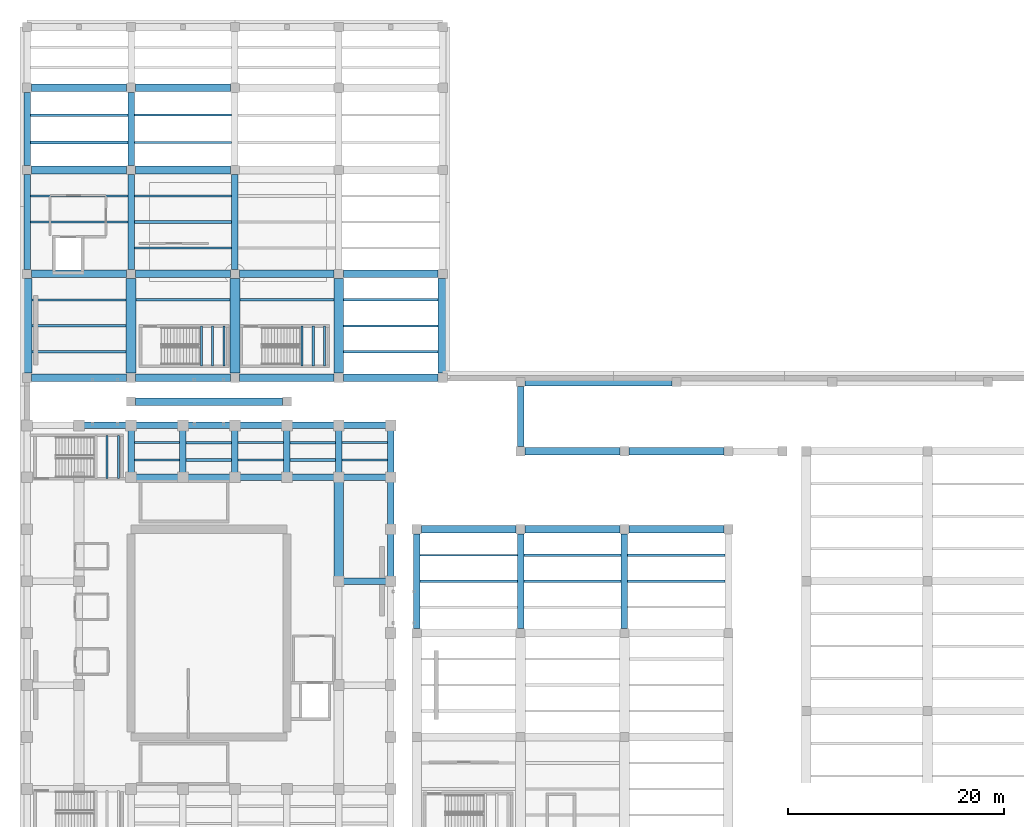
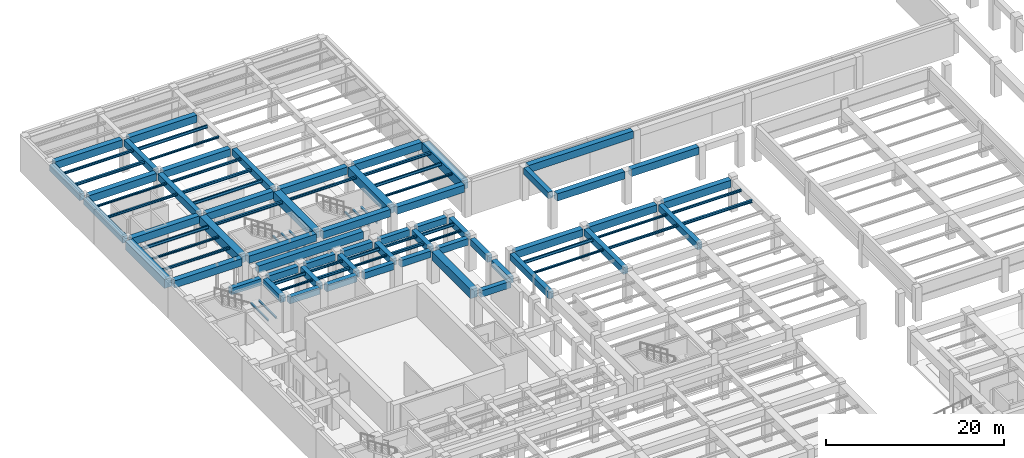
# One storey, part 18 of 45: 95 beams.
"""IFC4 building model written with IfcOpenShell, lengths in metres."""

from ifc_helpers import new_model, si_unit, direction, frame, origin, origin_2d, place, context, subcontext, project, spatial, rectangle, i_section, extrude, material, material_profile, profile_set, type_object, element, save


model = new_model("IFC4")

# Units and contexts
model_context = context("Model", 3, precision=1e-05, world=origin(), true_north=direction((0.0, 1.0)))
body_context = subcontext(model_context, "Body", "Model", "MODEL_VIEW")
ifc_project = project(units=[si_unit("LENGTHUNIT", "METRE"), si_unit("AREAUNIT", "SQUARE_METRE"), si_unit("VOLUMEUNIT", "CUBIC_METRE"), si_unit("PLANEANGLEUNIT", "RADIAN"), si_unit("MASSUNIT", "GRAM", prefix="KILO")], contexts=[model_context])

# Site, building, storey
site_placement = place(None, origin())
site = spatial("IfcSite", under=ifc_project, at=site_placement, CompositionType="ELEMENT")
building_placement = place(site_placement, origin())
building = spatial("IfcBuilding", under=site, at=building_placement, Name="Mavantir Sound Aquarium", CompositionType="ELEMENT")
storey_placement = place(building_placement, frame((0.0, 0.0, -4.800048828125)))
storey = spatial("IfcBuildingStorey", under=building, at=storey_placement, Name="B1", CompositionType="ELEMENT", Elevation=-4.800048828125)

# Beams
ifc_material_1 = material(Name="Concrete C40/50", Category="concrete")
ifc_material_profile_1 = material_profile(ifc_material_1, rectangle(XDim=0.60009765625, YDim=0.89990234375, at=origin_2d()), Name="RC 600X900")
ifc_profile_set_1 = profile_set([ifc_material_profile_1], Name="Concrete C40/50")
beam_type_1 = type_object("IfcBeamType", Name="BM-RC600X900-E", PredefinedType="BEAM", material=ifc_profile_set_1)
for number, where, z_axis, x_axis, name in (
    (1, (5.25, 79.199951171875, 3.946044921875), (1.0, 0.0, 0.0), (0.0, 1.0, 0.0), "B1 primary beam RCB-09 473"),
    (2, (10.050048828125, 79.199951171875, 3.946044921875), (1.0, 0.0, 0.0), (0.0, 1.0, 0.0), "B1 primary beam RCB-09 474"),
    (3, (14.85009765625, 79.199951171875, 3.946044921875), (1.0, 0.0, 0.0), (0.0, 1.0, 0.0), "B1 primary beam RCB-09 475"),
):
    element("IfcBeam", number, at=place(storey_placement, frame(where, z_axis=z_axis, x_axis=x_axis)), inside=storey, type_object=beam_type_1, Name=name, PredefinedType="BEAM", context=body_context, shape_type="SweptSolid", body=[
        extrude(rectangle(XDim=0.60009765625, YDim=0.89990234375, at=origin_2d()), origin(), (0.0, 0.0, 1.0), 3.89990234375),
    ])
for number, where, z_axis, x_axis, name in (
    (4, (19.64990234375, 79.199951171875, 3.946044921875), (1.0, 0.0, 0.0), (0.0, 1.0, 0.0), "B1 primary beam RCB-09 476"),
    (5, (24.449951171875, 79.199951171875, 3.946044921875), (1.0, 0.0, 0.0), (0.0, 1.0, 0.0), "B1 primary beam RCB-09 477"),
):
    element("IfcBeam", number, at=place(storey_placement, frame(where, z_axis=z_axis, x_axis=x_axis)), inside=storey, type_object=beam_type_1, Name=name, PredefinedType="BEAM", context=body_context, shape_type="SweptSolid", body=[
        extrude(rectangle(XDim=0.60009765625, YDim=0.89990234375, at=origin_2d()), origin(), (0.0, 0.0, 1.0), 3.900146484375),
    ])
for number, where, z_axis, x_axis, name in (
    (6, (29.25, 79.199951171875, 3.946044921875), (1.0, 0.0, 0.0), (0.0, 1.0, 0.0), "B1 primary beam RCB-09 478"),
    (7, (33.60009765625, 65.25, 3.946044921875), (0.0, 1.0, 0.0), (-1.0, 0.0, 0.0), "B1 primary girder RCB-09 508"),
    (8, (33.60009765625, 70.050048828125, 3.946044921875), (0.0, 1.0, 0.0), (-1.0, 0.0, 0.0), "B1 primary girder RCB-09 509"),
    (9, (33.60009765625, 74.85009765625, 3.946044921875), (0.0, 1.0, 0.0), (-1.0, 0.0, 0.0), "B1 primary girder RCB-09 510"),
):
    element("IfcBeam", number, at=place(storey_placement, frame(where, z_axis=z_axis, x_axis=x_axis)), inside=storey, type_object=beam_type_1, Name=name, PredefinedType="BEAM", context=body_context, shape_type="SweptSolid", body=[
        extrude(rectangle(XDim=0.60009765625, YDim=0.89990234375, at=origin_2d()), origin(), (0.0, 0.0, 1.0), 3.89990234375),
    ])
for number, where, z_axis, x_axis, name in (
    (10, (36.0, 60.425048828125, 3.946044921875), (0.0, 1.0, 0.0), (-1.0, 0.0, 0.0), "B1 primary girder RCB-09 525"),
    (11, (0.0, 93.625, 4.046142578125), (0.0, 1.0, 0.0), (-1.0, 0.0, 0.0), "B1 primary girder RCB-09 718"),
):
    element("IfcBeam", number, at=place(storey_placement, frame(where, z_axis=z_axis, x_axis=x_axis)), inside=storey, type_object=beam_type_1, Name=name, PredefinedType="BEAM", context=body_context, shape_type="SweptSolid", body=[
        extrude(rectangle(XDim=0.60009765625, YDim=0.89990234375, at=origin_2d()), origin(), (0.0, 0.0, 1.0), 8.75),
    ])
beam_1_placement = place(storey_placement, frame((0.0, 103.22509765625, 4.046142578125), z_axis=(0.0, 1.0, 0.0), x_axis=(-1.0, 0.0, 0.0)))
element("IfcBeam", 12, at=beam_1_placement, inside=storey, type_object=beam_type_1, Name="B1 primary girder RCB-09 719", PredefinedType="BEAM", context=body_context, shape_type="SweptSolid", body=[
    extrude(rectangle(XDim=0.60009765625, YDim=0.89990234375, at=origin_2d()), origin(), (0.0, 0.0, 1.0), 6.75),
])
ifc_material_profile_2 = material_profile(ifc_material_1, rectangle(XDim=0.60009765625, YDim=0.89990234375, at=origin_2d()), Name="RC 600X900")
ifc_profile_set_2 = profile_set([ifc_material_profile_2], Name="Concrete C40/50")
beam_type_2 = type_object("IfcBeamType", Name="BM-RC600X900-I", PredefinedType="BEAM", material=ifc_profile_set_2)
beam_2_placement = place(storey_placement, frame((45.60009765625, 77.22509765625, 4.095947265625), z_axis=(0.0, 1.0, 0.0), x_axis=(-1.0, 0.0, 0.0)))
element("IfcBeam", 13, at=beam_2_placement, inside=storey, type_object=beam_type_2, Name="B1 primary girder RCB-09 437", PredefinedType="BEAM", context=body_context, shape_type="SweptSolid", body=[
    extrude(rectangle(XDim=0.60009765625, YDim=0.89990234375, at=origin_2d()), origin(), (0.0, 0.0, 1.0), 5.5498046875),
])
for number, where, z_axis, x_axis, name in (
    (14, (29.25, 64.800048828125, 3.946044921875), (1.0, 0.0, 0.0), (0.0, 1.0, 0.0), "B1 primary beam RCB-09 466"),
    (15, (10.050048828125, 74.39990234375, 3.946044921875), (1.0, 0.0, 0.0), (0.0, 1.0, 0.0), "B1 primary beam RCB-09 467"),
    (16, (14.85009765625, 74.39990234375, 3.946044921875), (1.0, 0.0, 0.0), (0.0, 1.0, 0.0), "B1 primary beam RCB-09 468"),
):
    element("IfcBeam", number, at=place(storey_placement, frame(where, z_axis=z_axis, x_axis=x_axis)), inside=storey, type_object=beam_type_2, Name=name, PredefinedType="BEAM", context=body_context, shape_type="SweptSolid", body=[
        extrude(rectangle(XDim=0.60009765625, YDim=0.89990234375, at=origin_2d()), origin(), (0.0, 0.0, 1.0), 3.89990234375),
    ])
for number, where, z_axis, x_axis, name in (
    (17, (19.64990234375, 74.39990234375, 3.946044921875), (1.0, 0.0, 0.0), (0.0, 1.0, 0.0), "B1 primary beam RCB-09 469"),
    (18, (24.449951171875, 74.39990234375, 3.946044921875), (1.0, 0.0, 0.0), (0.0, 1.0, 0.0), "B1 primary beam RCB-09 470"),
):
    element("IfcBeam", number, at=place(storey_placement, frame(where, z_axis=z_axis, x_axis=x_axis)), inside=storey, type_object=beam_type_2, Name=name, PredefinedType="BEAM", context=body_context, shape_type="SweptSolid", body=[
        extrude(rectangle(XDim=0.60009765625, YDim=0.89990234375, at=origin_2d()), origin(), (0.0, 0.0, 1.0), 3.900146484375),
    ])
for number, where, z_axis, x_axis, name in (
    (19, (29.25, 74.39990234375, 3.946044921875), (1.0, 0.0, 0.0), (0.0, 1.0, 0.0), "B1 primary beam RCB-09 471"),
    (20, (9.60009765625, 74.85009765625, 3.946044921875), (0.0, 1.0, 0.0), (-1.0, 0.0, 0.0), "B1 primary girder RCB-09 491"),
    (21, (14.39990234375, 74.85009765625, 3.946044921875), (0.0, 1.0, 0.0), (-1.0, 0.0, 0.0), "B1 primary girder RCB-09 493"),
    (22, (19.199951171875, 74.85009765625, 3.946044921875), (0.0, 1.0, 0.0), (-1.0, 0.0, 0.0), "B1 primary girder RCB-09 495"),
    (23, (24.0, 74.85009765625, 3.946044921875), (0.0, 1.0, 0.0), (-1.0, 0.0, 0.0), "B1 primary girder RCB-09 497"),
    (24, (28.800048828125, 74.85009765625, 3.946044921875), (0.0, 1.0, 0.0), (-1.0, 0.0, 0.0), "B1 primary girder RCB-09 502"),
):
    element("IfcBeam", number, at=place(storey_placement, frame(where, z_axis=z_axis, x_axis=x_axis)), inside=storey, type_object=beam_type_2, Name=name, PredefinedType="BEAM", context=body_context, shape_type="SweptSolid", body=[
        extrude(rectangle(XDim=0.60009765625, YDim=0.89990234375, at=origin_2d()), origin(), (0.0, 0.0, 1.0), 3.89990234375),
    ])
for number, where, z_axis, x_axis, name in (
    (25, (45.60009765625, 60.425048828125, 3.946044921875), (0.0, 1.0, 0.0), (-1.0, 0.0, 0.0), "B1 primary girder RCB-09 528"),
    (26, (55.199951171875, 60.425048828125, 3.946044921875), (0.0, 1.0, 0.0), (-1.0, 0.0, 0.0), "B1 primary girder RCB-09 531"),
    (27, (9.60009765625, 93.625, 4.046142578125), (0.0, 1.0, 0.0), (-1.0, 0.0, 0.0), "B1 primary girder RCB-09 722"),
):
    element("IfcBeam", number, at=place(storey_placement, frame(where, z_axis=z_axis, x_axis=x_axis)), inside=storey, type_object=beam_type_2, Name=name, PredefinedType="BEAM", context=body_context, shape_type="SweptSolid", body=[
        extrude(rectangle(XDim=0.60009765625, YDim=0.89990234375, at=origin_2d()), origin(), (0.0, 0.0, 1.0), 8.75),
    ])
beam_3_placement = place(storey_placement, frame((9.60009765625, 103.22509765625, 4.046142578125), z_axis=(0.0, 1.0, 0.0), x_axis=(-1.0, 0.0, 0.0)))
element("IfcBeam", 28, at=beam_3_placement, inside=storey, type_object=beam_type_2, Name="B1 primary girder RCB-09 723", PredefinedType="BEAM", context=body_context, shape_type="SweptSolid", body=[
    extrude(rectangle(XDim=0.60009765625, YDim=0.89990234375, at=origin_2d()), origin(), (0.0, 0.0, 1.0), 6.75),
])
beam_4_placement = place(storey_placement, frame((19.199951171875, 93.625, 4.046142578125), z_axis=(0.0, 1.0, 0.0), x_axis=(-1.0, 0.0, 0.0)))
element("IfcBeam", 29, at=beam_4_placement, inside=storey, type_object=beam_type_2, Name="B1 primary girder RCB-09 726", PredefinedType="BEAM", context=body_context, shape_type="SweptSolid", body=[
    extrude(rectangle(XDim=0.60009765625, YDim=0.89990234375, at=origin_2d()), origin(), (0.0, 0.0, 1.0), 8.75),
])
ifc_material_profile_3 = material_profile(ifc_material_1, rectangle(XDim=0.699951171875, YDim=1.0, at=origin_2d()), Name="RC 700X1000")
ifc_profile_set_3 = profile_set([ifc_material_profile_3], Name="Concrete C40/50")
beam_type_3 = type_object("IfcBeamType", Name="BM-RC700X1000-E", PredefinedType="BEAM", material=ifc_profile_set_3)
for number, where, z_axis, x_axis, name in (
    (30, (36.425048828125, 69.60009765625, 3.89599609375), (1.0, 0.0, 0.0), (0.0, 1.0, 0.0), "B1 primary beam RCB-10 520"),
    (31, (46.02490234375, 69.60009765625, 3.89599609375), (1.0, 0.0, 0.0), (0.0, 1.0, 0.0), "B1 primary beam RCB-10 521"),
    (32, (55.625, 69.60009765625, 3.89599609375), (1.0, 0.0, 0.0), (0.0, 1.0, 0.0), "B1 primary beam RCB-10 522"),
    (33, (0.425048828125, 83.60009765625, 3.99609375), (1.0, 0.0, 0.0), (0.0, 1.0, 0.0), "B1 primary beam RCB-10 697"),
    (34, (10.02490234375, 83.60009765625, 3.99609375), (1.0, 0.0, 0.0), (0.0, 1.0, 0.0), "B1 primary beam RCB-10 698"),
    (35, (19.625, 83.60009765625, 3.99609375), (1.0, 0.0, 0.0), (0.0, 1.0, 0.0), "B1 primary beam RCB-10 699"),
    (36, (29.22509765625, 83.60009765625, 3.99609375), (1.0, 0.0, 0.0), (0.0, 1.0, 0.0), "B1 primary beam RCB-10 700"),
):
    element("IfcBeam", number, at=place(storey_placement, frame(where, z_axis=z_axis, x_axis=x_axis)), inside=storey, type_object=beam_type_3, Name=name, PredefinedType="BEAM", context=body_context, shape_type="SweptSolid", body=[
        extrude(rectangle(XDim=0.699951171875, YDim=1.0, at=origin_2d()), origin(), (0.0, 0.0, 1.0), 8.75),
    ])
ifc_material_profile_4 = material_profile(ifc_material_1, rectangle(XDim=0.699951171875, YDim=1.0, at=origin_2d()), Name="RC 700X1000")
ifc_profile_set_4 = profile_set([ifc_material_profile_4], Name="Concrete C40/50")
beam_type_4 = type_object("IfcBeamType", Name="BM-RC700X1000-I", PredefinedType="BEAM", material=ifc_profile_set_4)
for number, where, z_axis, x_axis, name in (
    (37, (46.02490234375, 76.800048828125, 4.046142578125), (1.0, 0.0, 0.0), (0.0, 1.0, 0.0), "B1 primary beam RCB-10 428"),
    (38, (55.625, 76.800048828125, 4.046142578125), (1.0, 0.0, 0.0), (0.0, 1.0, 0.0), "B1 primary beam RCB-10 429"),
):
    element("IfcBeam", number, at=place(storey_placement, frame(where, z_axis=z_axis, x_axis=x_axis)), inside=storey, type_object=beam_type_4, Name=name, PredefinedType="BEAM", context=body_context, shape_type="SweptSolid", body=[
        extrude(rectangle(XDim=0.699951171875, YDim=1.0, at=origin_2d()), origin(), (0.0, 0.0, 1.0), 8.75),
    ])
for number, where, z_axis, x_axis, name in (
    (39, (10.02490234375, 81.39990234375, 3.99609375), (1.0, 0.0, 0.0), (0.0, 1.0, 0.0), "B1 primary beam RCB-10 433"),
    (40, (46.02490234375, 83.199951171875, 4.046142578125), (1.0, 0.0, 0.0), (0.0, 1.0, 0.0), "B1 primary beam RCB-10 434"),
):
    element("IfcBeam", number, at=place(storey_placement, frame(where, z_axis=z_axis, x_axis=x_axis)), inside=storey, type_object=beam_type_4, Name=name, PredefinedType="BEAM", context=body_context, shape_type="SweptSolid", body=[
        extrude(rectangle(XDim=0.699951171875, YDim=1.0, at=origin_2d()), origin(), (0.0, 0.0, 1.0), 13.550048828125),
    ])
for number, where, z_axis, x_axis, name in (
    (41, (0.425048828125, 93.199951171875, 3.99609375), (1.0, 0.0, 0.0), (0.0, 1.0, 0.0), "B1 primary beam RCB-10 701"),
    (42, (10.02490234375, 93.199951171875, 3.99609375), (1.0, 0.0, 0.0), (0.0, 1.0, 0.0), "B1 primary beam RCB-10 702"),
    (43, (19.625, 93.199951171875, 3.99609375), (1.0, 0.0, 0.0), (0.0, 1.0, 0.0), "B1 primary beam RCB-10 703"),
    (44, (29.22509765625, 93.199951171875, 3.99609375), (1.0, 0.0, 0.0), (0.0, 1.0, 0.0), "B1 primary beam RCB-10 704"),
    (45, (0.425048828125, 102.800048828125, 3.99609375), (1.0, 0.0, 0.0), (0.0, 1.0, 0.0), "B1 primary beam RCB-10 705"),
    (46, (10.02490234375, 102.800048828125, 3.99609375), (1.0, 0.0, 0.0), (0.0, 1.0, 0.0), "B1 primary beam RCB-10 706"),
    (47, (0.425048828125, 110.39990234375, 3.99609375), (1.0, 0.0, 0.0), (0.0, 1.0, 0.0), "B1 primary beam RCB-10 709"),
    (48, (10.02490234375, 110.39990234375, 3.99609375), (1.0, 0.0, 0.0), (0.0, 1.0, 0.0), "B1 primary beam RCB-10 710"),
):
    element("IfcBeam", number, at=place(storey_placement, frame(where, z_axis=z_axis, x_axis=x_axis)), inside=storey, type_object=beam_type_4, Name=name, PredefinedType="BEAM", context=body_context, shape_type="SweptSolid", body=[
        extrude(rectangle(XDim=0.699951171875, YDim=1.0, at=origin_2d()), origin(), (0.0, 0.0, 1.0), 8.75),
    ])
ifc_material_profile_5 = material_profile(ifc_material_1, rectangle(XDim=0.89990234375, YDim=1.199951171875, at=origin_2d()), Name="RC 900X1200")
ifc_profile_set_5 = profile_set([ifc_material_profile_5], Name="Concrete C40/50")
beam_type_5 = type_object("IfcBeamType", Name="BM-RC900X1200-E", PredefinedType="BEAM", material=ifc_profile_set_5)
for number, where, z_axis, x_axis, name in (
    (49, (0.0, 84.02490234375, 3.89599609375), (0.0, 1.0, 0.0), (-1.0, 0.0, 0.0), "B1 primary girder RCB-12 717"),
    (50, (38.39990234375, 84.02490234375, 3.89599609375), (0.0, 1.0, 0.0), (-1.0, 0.0, 0.0), "B1 primary girder RCB-12 733"),
):
    element("IfcBeam", number, at=place(storey_placement, frame(where, z_axis=z_axis, x_axis=x_axis)), inside=storey, type_object=beam_type_5, Name=name, PredefinedType="BEAM", context=body_context, shape_type="SweptSolid", body=[
        extrude(rectangle(XDim=0.89990234375, YDim=1.199951171875, at=origin_2d()), origin(), (0.0, 0.0, 1.0), 8.75),
    ])
ifc_material_profile_6 = material_profile(ifc_material_1, rectangle(XDim=0.89990234375, YDim=1.199951171875, at=origin_2d()), Name="RC 900X1200")
ifc_profile_set_6 = profile_set([ifc_material_profile_6], Name="Concrete C40/50")
beam_type_6 = type_object("IfcBeamType", Name="BM-RC900X1200-I", PredefinedType="BEAM", material=ifc_profile_set_6)
beam_5_placement = place(storey_placement, frame((28.800048828125, 65.25, 3.796142578125), z_axis=(0.0, 1.0, 0.0), x_axis=(-1.0, 0.0, 0.0)))
element("IfcBeam", 51, at=beam_5_placement, inside=storey, type_object=beam_type_6, Name="B1 primary girder RCB-12 501", PredefinedType="BEAM", context=body_context, shape_type="SweptSolid", body=[
    extrude(rectangle(XDim=0.89990234375, YDim=1.199951171875, at=origin_2d()), origin(), (0.0, 0.0, 1.0), 8.699951171875),
])
for number, where, z_axis, x_axis, name in (
    (52, (9.60009765625, 84.02490234375, 3.89599609375), (0.0, 1.0, 0.0), (-1.0, 0.0, 0.0), "B1 primary girder RCB-12 721"),
    (53, (19.199951171875, 84.02490234375, 3.89599609375), (0.0, 1.0, 0.0), (-1.0, 0.0, 0.0), "B1 primary girder RCB-12 725"),
    (54, (28.800048828125, 84.02490234375, 3.89599609375), (0.0, 1.0, 0.0), (-1.0, 0.0, 0.0), "B1 primary girder RCB-12 729"),
):
    element("IfcBeam", number, at=place(storey_placement, frame(where, z_axis=z_axis, x_axis=x_axis)), inside=storey, type_object=beam_type_6, Name=name, PredefinedType="BEAM", context=body_context, shape_type="SweptSolid", body=[
        extrude(rectangle(XDim=0.89990234375, YDim=1.199951171875, at=origin_2d()), origin(), (0.0, 0.0, 1.0), 8.75),
    ])
ifc_material_2 = material(Name="Structural Steel ASTM A992 Gr50", Category="steel")
ifc_material_profile_7 = material_profile(ifc_material_2, i_section(OverallWidth=0.202880859375, OverallDepth=0.202880859375, WebThickness=0.007080078125, FlangeThickness=0.010986328125, FilletRadius=0.010009765625, at=origin_2d()), Name="W200X46")
ifc_profile_set_7 = profile_set([ifc_material_profile_7], Name="Structural Steel ASTM A992 Gr50")
beam_type_7 = type_object("IfcBeamType", Name="BM-W200X46-I", PredefinedType="LINTEL", material=ifc_profile_set_7)
for number, where, z_axis, x_axis, name in (
    (55, (7.389892578125, 74.27490234375, 2.095458984375), (0.0, 1.0, 0.0), (-1.0, 0.0, 0.0), "Stair ST2 landing support beam 20"),
    (56, (8.429931640625, 74.27490234375, 2.095458984375), (0.0, 1.0, 0.0), (-1.0, 0.0, 0.0), "Stair ST2 landing support beam 21"),
):
    element("IfcBeam", number, at=place(storey_placement, frame(where, z_axis=z_axis, x_axis=x_axis)), inside=storey, type_object=beam_type_7, Name=name, PredefinedType="LINTEL", context=body_context, shape_type="SweptSolid", body=[
        extrude(i_section(OverallWidth=0.202880859375, OverallDepth=0.202880859375, WebThickness=0.007080078125, FlangeThickness=0.010986328125, FilletRadius=0.010009765625, at=origin_2d()), origin(), (0.0, 0.0, 1.0), 4.0),
    ])
for number, where, z_axis, x_axis, name in (
    (57, (16.10009765625, 84.675048828125, 2.095458984375), (0.0, 1.0, 0.0), (-1.0, 0.0, 0.0), "Stair ST5 landing support beam 85"),
    (58, (17.139892578125, 84.675048828125, 2.095458984375), (0.0, 1.0, 0.0), (-1.0, 0.0, 0.0), "Stair ST5 landing support beam 86"),
    (59, (18.179931640625, 84.675048828125, 2.095458984375), (0.0, 1.0, 0.0), (-1.0, 0.0, 0.0), "Stair ST5 landing support beam 87"),
    (60, (25.39990234375, 84.675048828125, 2.095458984375), (0.0, 1.0, 0.0), (-1.0, 0.0, 0.0), "Stair ST7 landing support beam 106"),
    (61, (26.43994140625, 84.675048828125, 2.095458984375), (0.0, 1.0, 0.0), (-1.0, 0.0, 0.0), "Stair ST7 landing support beam 107"),
    (62, (27.47998046875, 84.675048828125, 2.095458984375), (0.0, 1.0, 0.0), (-1.0, 0.0, 0.0), "Stair ST7 landing support beam 108"),
):
    element("IfcBeam", number, at=place(storey_placement, frame(where, z_axis=z_axis, x_axis=x_axis)), inside=storey, type_object=beam_type_7, Name=name, PredefinedType="LINTEL", context=body_context, shape_type="SweptSolid", body=[
        extrude(i_section(OverallWidth=0.202880859375, OverallDepth=0.202880859375, WebThickness=0.007080078125, FlangeThickness=0.010986328125, FilletRadius=0.010009765625, at=origin_2d()), origin(), (0.0, 0.0, 1.0), 3.699951171875),
    ])
ifc_material_profile_8 = material_profile(ifc_material_2, i_section(OverallWidth=0.202880859375, OverallDepth=0.251953125, WebThickness=0.008056640625, FlangeThickness=0.013427734375, FilletRadius=0.011962890625, at=origin_2d()), Name="W250X58")
ifc_profile_set_8 = profile_set([ifc_material_profile_8], Name="Structural Steel ASTM A992 Gr50")
beam_type_8 = type_object("IfcBeamType", Name="BM-W250X58-I", PredefinedType="JOIST", material=ifc_profile_set_8)
beam_6_placement = place(storey_placement, frame((9.89990234375, 76.0, 4.27001953125), z_axis=(1.0, 0.0, 0.0), x_axis=(0.0, 1.0, 0.0)))
element("IfcBeam", 63, at=beam_6_placement, inside=storey, type_object=beam_type_8, Name="B1 secondary floor joist SJ-25 188", PredefinedType="JOIST", context=body_context, shape_type="SweptSolid", body=[
    extrude(i_section(OverallWidth=0.202880859375, OverallDepth=0.251953125, WebThickness=0.008056640625, FlangeThickness=0.013427734375, FilletRadius=0.011962890625, at=origin_2d()), origin(), (0.0, 0.0, 1.0), 4.2001953125),
])
for number, where, z_axis, x_axis, name in (
    (64, (19.5, 76.0, 4.27001953125), (1.0, 0.0, 0.0), (0.0, 1.0, 0.0), "B1 secondary floor joist SJ-25 192"),
    (65, (29.10009765625, 76.0, 4.27001953125), (1.0, 0.0, 0.0), (0.0, 1.0, 0.0), "B1 secondary floor joist SJ-25 196"),
):
    element("IfcBeam", number, at=place(storey_placement, frame(where, z_axis=z_axis, x_axis=x_axis)), inside=storey, type_object=beam_type_8, Name=name, PredefinedType="JOIST", context=body_context, shape_type="SweptSolid", body=[
        extrude(i_section(OverallWidth=0.202880859375, OverallDepth=0.251953125, WebThickness=0.008056640625, FlangeThickness=0.013427734375, FilletRadius=0.011962890625, at=origin_2d()), origin(), (0.0, 0.0, 1.0), 4.199951171875),
    ])
for number, where, z_axis, x_axis, name in (
    (66, (36.300048828125, 64.800048828125, 4.27001953125), (1.0, 0.0, 0.0), (0.0, 1.0, 0.0), "B1 secondary floor joist SJ-25 216"),
    (67, (45.89990234375, 67.199951171875, 4.27001953125), (1.0, 0.0, 0.0), (0.0, 1.0, 0.0), "B1 secondary floor joist SJ-25 220"),
):
    element("IfcBeam", number, at=place(storey_placement, frame(where, z_axis=z_axis, x_axis=x_axis)), inside=storey, type_object=beam_type_8, Name=name, PredefinedType="JOIST", context=body_context, shape_type="SweptSolid", body=[
        extrude(i_section(OverallWidth=0.202880859375, OverallDepth=0.251953125, WebThickness=0.008056640625, FlangeThickness=0.013427734375, FilletRadius=0.011962890625, at=origin_2d()), origin(), (0.0, 0.0, 1.0), 9.0),
    ])
for number, where, z_axis, x_axis, name in (
    (68, (0.449951171875, 88.39990234375, 4.3701171875), (1.0, 0.0, 0.0), (0.0, 1.0, 0.0), "B1 secondary floor joist SJ-25 340"),
    (69, (29.25, 86.0, 4.3701171875), (1.0, 0.0, 0.0), (0.0, 1.0, 0.0), "B1 secondary floor joist SJ-25 344"),
):
    element("IfcBeam", number, at=place(storey_placement, frame(where, z_axis=z_axis, x_axis=x_axis)), inside=storey, type_object=beam_type_8, Name=name, PredefinedType="JOIST", context=body_context, shape_type="SweptSolid", body=[
        extrude(i_section(OverallWidth=0.202880859375, OverallDepth=0.251953125, WebThickness=0.008056640625, FlangeThickness=0.013427734375, FilletRadius=0.011962890625, at=origin_2d()), origin(), (0.0, 0.0, 1.0), 8.699951171875),
    ])
for number, where, z_axis, x_axis, name in (
    (70, (0.300048828125, 100.39990234375, 4.3701171875), (1.0, 0.0, 0.0), (0.0, 1.0, 0.0), "B1 secondary floor joist SJ-25 348"),
    (71, (9.89990234375, 105.333251953125, 4.3701171875), (1.0, 0.0, 0.0), (0.0, 1.0, 0.0), "B1 secondary floor joist SJ-25 360"),
):
    element("IfcBeam", number, at=place(storey_placement, frame(where, z_axis=z_axis, x_axis=x_axis)), inside=storey, type_object=beam_type_8, Name=name, PredefinedType="JOIST", context=body_context, shape_type="SweptSolid", body=[
        extrude(i_section(OverallWidth=0.202880859375, OverallDepth=0.251953125, WebThickness=0.008056640625, FlangeThickness=0.013427734375, FilletRadius=0.011962890625, at=origin_2d()), origin(), (0.0, 0.0, 1.0), 9.0),
    ])
ifc_material_profile_9 = material_profile(ifc_material_2, i_section(OverallWidth=0.205078125, OverallDepth=0.31005859375, WebThickness=0.009521484375, FlangeThickness=0.016357421875, FilletRadius=0.012939453125, at=origin_2d()), Name="W310X74")
ifc_profile_set_9 = profile_set([ifc_material_profile_9], Name="Structural Steel ASTM A992 Gr50")
beam_type_9 = type_object("IfcBeamType", Name="BM-W310X74-I", PredefinedType="JOIST", material=ifc_profile_set_9)
for number, where, z_axis, x_axis, name in (
    (72, (14.699951171875, 77.60009765625, 4.240966796875), (1.0, 0.0, 0.0), (0.0, 1.0, 0.0), "B1 secondary floor joist SJ-31 191"),
    (73, (24.300048828125, 77.60009765625, 4.240966796875), (1.0, 0.0, 0.0), (0.0, 1.0, 0.0), "B1 secondary floor joist SJ-31 195"),
):
    element("IfcBeam", number, at=place(storey_placement, frame(where, z_axis=z_axis, x_axis=x_axis)), inside=storey, type_object=beam_type_9, Name=name, PredefinedType="JOIST", context=body_context, shape_type="SweptSolid", body=[
        extrude(i_section(OverallWidth=0.205078125, OverallDepth=0.31005859375, WebThickness=0.009521484375, FlangeThickness=0.016357421875, FilletRadius=0.012939453125, at=origin_2d()), origin(), (0.0, 0.0, 1.0), 4.199951171875),
    ])
for number, where, z_axis, x_axis, name in (
    (74, (45.89990234375, 64.800048828125, 4.240966796875), (1.0, 0.0, 0.0), (0.0, 1.0, 0.0), "B1 secondary floor joist SJ-31 219"),
    (75, (55.5, 67.199951171875, 4.240966796875), (1.0, 0.0, 0.0), (0.0, 1.0, 0.0), "B1 secondary floor joist SJ-31 223"),
):
    element("IfcBeam", number, at=place(storey_placement, frame(where, z_axis=z_axis, x_axis=x_axis)), inside=storey, type_object=beam_type_9, Name=name, PredefinedType="JOIST", context=body_context, shape_type="SweptSolid", body=[
        extrude(i_section(OverallWidth=0.205078125, OverallDepth=0.31005859375, WebThickness=0.009521484375, FlangeThickness=0.016357421875, FilletRadius=0.012939453125, at=origin_2d()), origin(), (0.0, 0.0, 1.0), 9.0),
    ])
beam_7_placement = place(storey_placement, frame((0.449951171875, 86.0, 4.341064453125), z_axis=(1.0, 0.0, 0.0), x_axis=(0.0, 1.0, 0.0)))
element("IfcBeam", 76, at=beam_7_placement, inside=storey, type_object=beam_type_9, Name="B1 secondary floor joist SJ-31 339", PredefinedType="JOIST", context=body_context, shape_type="SweptSolid", body=[
    extrude(i_section(OverallWidth=0.205078125, OverallDepth=0.31005859375, WebThickness=0.009521484375, FlangeThickness=0.016357421875, FilletRadius=0.012939453125, at=origin_2d()), origin(), (0.0, 0.0, 1.0), 8.699951171875),
])
beam_8_placement = place(storey_placement, frame((19.64990234375, 90.800048828125, 4.341064453125), z_axis=(1.0, 0.0, 0.0), x_axis=(0.0, 1.0, 0.0)))
element("IfcBeam", 77, at=beam_8_placement, inside=storey, type_object=beam_type_9, Name="B1 secondary floor joist SJ-31 343", PredefinedType="JOIST", context=body_context, shape_type="SweptSolid", body=[
    extrude(i_section(OverallWidth=0.205078125, OverallDepth=0.31005859375, WebThickness=0.009521484375, FlangeThickness=0.016357421875, FilletRadius=0.012939453125, at=origin_2d()), origin(), (0.0, 0.0, 1.0), 8.7001953125),
])
for number, where, z_axis, x_axis, name in (
    (78, (0.300048828125, 98.0, 4.341064453125), (1.0, 0.0, 0.0), (0.0, 1.0, 0.0), "B1 secondary floor joist SJ-31 347"),
    (79, (9.89990234375, 100.39990234375, 4.341064453125), (1.0, 0.0, 0.0), (0.0, 1.0, 0.0), "B1 secondary floor joist SJ-31 351"),
    (80, (0.300048828125, 107.86669921875, 4.341064453125), (1.0, 0.0, 0.0), (0.0, 1.0, 0.0), "B1 secondary floor joist SJ-31 359"),
):
    element("IfcBeam", number, at=place(storey_placement, frame(where, z_axis=z_axis, x_axis=x_axis)), inside=storey, type_object=beam_type_9, Name=name, PredefinedType="JOIST", context=body_context, shape_type="SweptSolid", body=[
        extrude(i_section(OverallWidth=0.205078125, OverallDepth=0.31005859375, WebThickness=0.009521484375, FlangeThickness=0.016357421875, FilletRadius=0.012939453125, at=origin_2d()), origin(), (0.0, 0.0, 1.0), 9.0),
    ])
ifc_material_profile_10 = material_profile(ifc_material_2, i_section(OverallWidth=0.25390625, OverallDepth=0.35302734375, WebThickness=0.009521484375, FlangeThickness=0.016357421875, FilletRadius=0.014892578125, at=origin_2d()), Name="W360X91")
ifc_profile_set_10 = profile_set([ifc_material_profile_10], Name="Structural Steel ASTM A992 Gr50")
beam_type_10 = type_object("IfcBeamType", Name="BM-W360X91-I", PredefinedType="JOIST", material=ifc_profile_set_10)
for number, where, z_axis, x_axis, name in (
    (81, (14.699951171875, 76.0, 4.219482421875), (1.0, 0.0, 0.0), (0.0, 1.0, 0.0), "B1 secondary floor joist SJ-36 190"),
    (82, (24.300048828125, 76.0, 4.219482421875), (1.0, 0.0, 0.0), (0.0, 1.0, 0.0), "B1 secondary floor joist SJ-36 194"),
):
    element("IfcBeam", number, at=place(storey_placement, frame(where, z_axis=z_axis, x_axis=x_axis)), inside=storey, type_object=beam_type_10, Name=name, PredefinedType="JOIST", context=body_context, shape_type="SweptSolid", body=[
        extrude(i_section(OverallWidth=0.25390625, OverallDepth=0.35302734375, WebThickness=0.009521484375, FlangeThickness=0.016357421875, FilletRadius=0.014892578125, at=origin_2d()), origin(), (0.0, 0.0, 1.0), 4.199951171875),
    ])
beam_9_placement = place(storey_placement, frame((55.5, 64.800048828125, 4.219482421875), z_axis=(1.0, 0.0, 0.0), x_axis=(0.0, 1.0, 0.0)))
element("IfcBeam", 83, at=beam_9_placement, inside=storey, type_object=beam_type_10, Name="B1 secondary floor joist SJ-36 222", PredefinedType="JOIST", context=body_context, shape_type="SweptSolid", body=[
    extrude(i_section(OverallWidth=0.25390625, OverallDepth=0.35302734375, WebThickness=0.009521484375, FlangeThickness=0.016357421875, FilletRadius=0.014892578125, at=origin_2d()), origin(), (0.0, 0.0, 1.0), 9.0),
])
for number, where, z_axis, x_axis, name in (
    (84, (10.050048828125, 90.800048828125, 4.319580078125), (1.0, 0.0, 0.0), (0.0, 1.0, 0.0), "B1 secondary floor joist SJ-36 342"),
    (85, (29.25, 90.800048828125, 4.319580078125), (1.0, 0.0, 0.0), (0.0, 1.0, 0.0), "B1 secondary floor joist SJ-36 346"),
):
    element("IfcBeam", number, at=place(storey_placement, frame(where, z_axis=z_axis, x_axis=x_axis)), inside=storey, type_object=beam_type_10, Name=name, PredefinedType="JOIST", context=body_context, shape_type="SweptSolid", body=[
        extrude(i_section(OverallWidth=0.25390625, OverallDepth=0.35302734375, WebThickness=0.009521484375, FlangeThickness=0.016357421875, FilletRadius=0.014892578125, at=origin_2d()), origin(), (0.0, 0.0, 1.0), 8.699951171875),
    ])
for number, where, z_axis, x_axis, name in (
    (86, (9.89990234375, 98.0, 4.319580078125), (1.0, 0.0, 0.0), (0.0, 1.0, 0.0), "B1 secondary floor joist SJ-36 350"),
    (87, (0.300048828125, 105.333251953125, 4.319580078125), (1.0, 0.0, 0.0), (0.0, 1.0, 0.0), "B1 secondary floor joist SJ-36 358"),
):
    element("IfcBeam", number, at=place(storey_placement, frame(where, z_axis=z_axis, x_axis=x_axis)), inside=storey, type_object=beam_type_10, Name=name, PredefinedType="JOIST", context=body_context, shape_type="SweptSolid", body=[
        extrude(i_section(OverallWidth=0.25390625, OverallDepth=0.35302734375, WebThickness=0.009521484375, FlangeThickness=0.016357421875, FilletRadius=0.014892578125, at=origin_2d()), origin(), (0.0, 0.0, 1.0), 9.0),
    ])
ifc_material_profile_11 = material_profile(ifc_material_2, i_section(OverallWidth=0.180908203125, OverallDepth=0.4169921875, WebThickness=0.010986328125, FlangeThickness=0.018310546875, FilletRadius=0.014892578125, at=origin_2d()), Name="W410X85")
ifc_profile_set_11 = profile_set([ifc_material_profile_11], Name="Structural Steel ASTM A992 Gr50")
beam_type_11 = type_object("IfcBeamType", Name="BM-W410X85-I", PredefinedType="JOIST", material=ifc_profile_set_11)
beam_10_placement = place(storey_placement, frame((9.89990234375, 77.60009765625, 4.1875), z_axis=(1.0, 0.0, 0.0), x_axis=(0.0, 1.0, 0.0)))
element("IfcBeam", 88, at=beam_10_placement, inside=storey, type_object=beam_type_11, Name="B1 secondary floor joist SJ-41 189", PredefinedType="JOIST", context=body_context, shape_type="SweptSolid", body=[
    extrude(i_section(OverallWidth=0.180908203125, OverallDepth=0.4169921875, WebThickness=0.010986328125, FlangeThickness=0.018310546875, FilletRadius=0.014892578125, at=origin_2d()), origin(), (0.0, 0.0, 1.0), 4.2001953125),
])
for number, where, z_axis, x_axis, name in (
    (89, (19.5, 77.60009765625, 4.1875), (1.0, 0.0, 0.0), (0.0, 1.0, 0.0), "B1 secondary floor joist SJ-41 193"),
    (90, (29.10009765625, 77.60009765625, 4.1875), (1.0, 0.0, 0.0), (0.0, 1.0, 0.0), "B1 secondary floor joist SJ-41 197"),
):
    element("IfcBeam", number, at=place(storey_placement, frame(where, z_axis=z_axis, x_axis=x_axis)), inside=storey, type_object=beam_type_11, Name=name, PredefinedType="JOIST", context=body_context, shape_type="SweptSolid", body=[
        extrude(i_section(OverallWidth=0.180908203125, OverallDepth=0.4169921875, WebThickness=0.010986328125, FlangeThickness=0.018310546875, FilletRadius=0.014892578125, at=origin_2d()), origin(), (0.0, 0.0, 1.0), 4.199951171875),
    ])
beam_11_placement = place(storey_placement, frame((36.300048828125, 67.199951171875, 4.1875), z_axis=(1.0, 0.0, 0.0), x_axis=(0.0, 1.0, 0.0)))
element("IfcBeam", 91, at=beam_11_placement, inside=storey, type_object=beam_type_11, Name="B1 secondary floor joist SJ-41 217", PredefinedType="JOIST", context=body_context, shape_type="SweptSolid", body=[
    extrude(i_section(OverallWidth=0.180908203125, OverallDepth=0.4169921875, WebThickness=0.010986328125, FlangeThickness=0.018310546875, FilletRadius=0.014892578125, at=origin_2d()), origin(), (0.0, 0.0, 1.0), 9.0),
])
for number, where, z_axis, x_axis, name in (
    (92, (0.449951171875, 90.800048828125, 4.28759765625), (1.0, 0.0, 0.0), (0.0, 1.0, 0.0), "B1 secondary floor joist SJ-41 341"),
    (93, (29.25, 88.39990234375, 4.28759765625), (1.0, 0.0, 0.0), (0.0, 1.0, 0.0), "B1 secondary floor joist SJ-41 345"),
):
    element("IfcBeam", number, at=place(storey_placement, frame(where, z_axis=z_axis, x_axis=x_axis)), inside=storey, type_object=beam_type_11, Name=name, PredefinedType="JOIST", context=body_context, shape_type="SweptSolid", body=[
        extrude(i_section(OverallWidth=0.180908203125, OverallDepth=0.4169921875, WebThickness=0.010986328125, FlangeThickness=0.018310546875, FilletRadius=0.014892578125, at=origin_2d()), origin(), (0.0, 0.0, 1.0), 8.699951171875),
    ])
for number, where, z_axis, x_axis, name in (
    (94, (9.89990234375, 95.60009765625, 4.28759765625), (1.0, 0.0, 0.0), (0.0, 1.0, 0.0), "B1 secondary floor joist SJ-41 349"),
    (95, (9.89990234375, 107.86669921875, 4.28759765625), (1.0, 0.0, 0.0), (0.0, 1.0, 0.0), "B1 secondary floor joist SJ-41 361"),
):
    element("IfcBeam", number, at=place(storey_placement, frame(where, z_axis=z_axis, x_axis=x_axis)), inside=storey, type_object=beam_type_11, Name=name, PredefinedType="JOIST", context=body_context, shape_type="SweptSolid", body=[
        extrude(i_section(OverallWidth=0.180908203125, OverallDepth=0.4169921875, WebThickness=0.010986328125, FlangeThickness=0.018310546875, FilletRadius=0.014892578125, at=origin_2d()), origin(), (0.0, 0.0, 1.0), 9.0),
    ])

save(model, "model.ifc")
